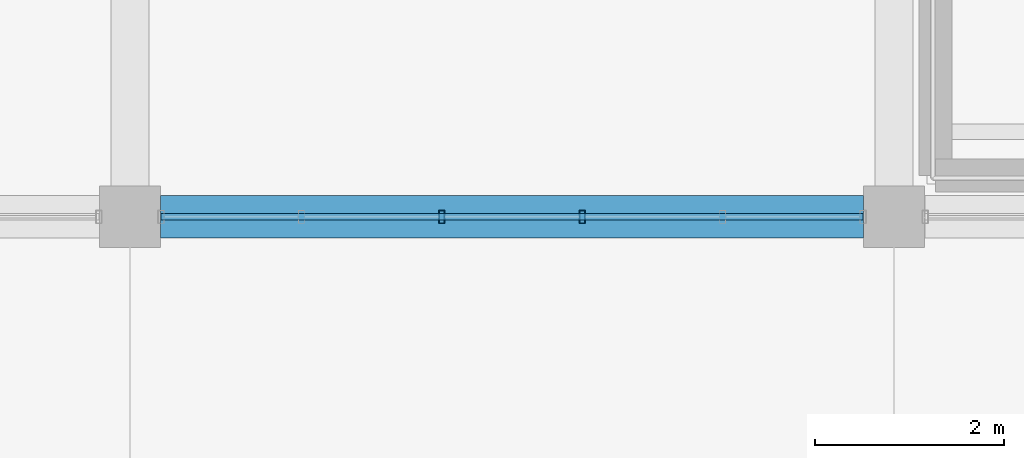
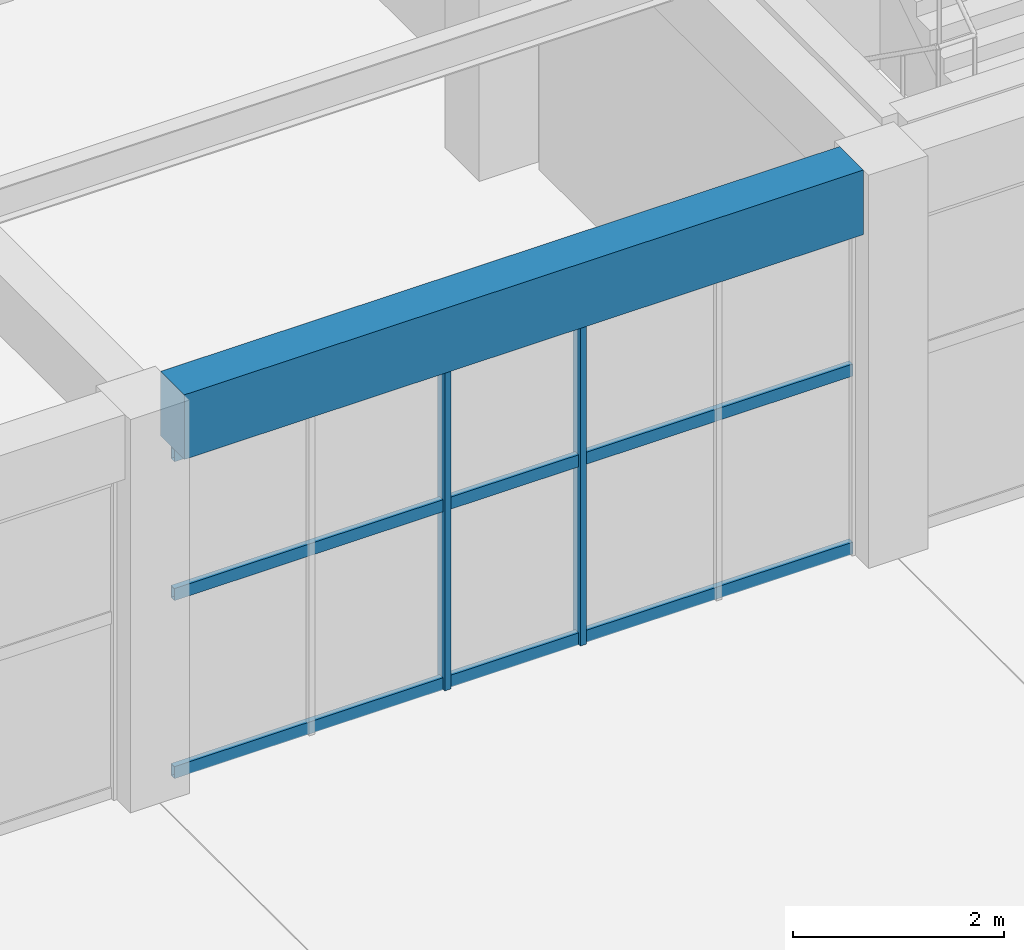
# One storey, part 41 of 161: 5 members, 1 beam, 1 element without a shape of its own.
"""IFC4 building model written with IfcOpenShell, lengths in metres."""

from ifc_helpers import new_model, si_unit, direction, frame, origin, origin_2d, place, context, subcontext, project, spatial, rectangle, hollow_rectangle, extrude, material, material_profile, profile_set, type_object, element, aggregate, save


model = new_model("IFC4")

# Units and contexts
model_context = context("Model", 3, precision=1e-05, world=origin(), true_north=direction((0.0, 1.0)))
body_context = subcontext(model_context, "Body", "Model", "MODEL_VIEW")
ifc_project = project(units=[si_unit("LENGTHUNIT", "METRE"), si_unit("AREAUNIT", "SQUARE_METRE"), si_unit("VOLUMEUNIT", "CUBIC_METRE"), si_unit("PLANEANGLEUNIT", "RADIAN"), si_unit("MASSUNIT", "GRAM", prefix="KILO")], contexts=[model_context])

# Site, building, storey
site_placement = place(None, origin())
site = spatial("IfcSite", under=ifc_project, at=site_placement, CompositionType="ELEMENT")
building_placement = place(site_placement, origin())
building = spatial("IfcBuilding", under=site, at=building_placement, Name="Cimatlan Art Gallery", CompositionType="ELEMENT")
storey_placement = place(building_placement, frame((0.0, 0.0, 5.39990234375)))
storey = spatial("IfcBuildingStorey", under=building, at=storey_placement, Name="L01", CompositionType="ELEMENT", Elevation=5.39990234375)

# Beam
ifc_material_1 = material(Name="Concrete C40/50", Category="concrete")
ifc_material_profile_1 = material_profile(ifc_material_1, rectangle(XDim=0.449951171875, YDim=0.75, at=origin_2d()), Name="RC450X750")
ifc_profile_set_1 = profile_set([ifc_material_profile_1], Name="Concrete C40/50")
beam_type = type_object("IfcBeamType", Name="BM-RC-450X750", PredefinedType="BEAM", material=ifc_profile_set_1)
beam_placement = place(storey_placement, frame((107.625, 23.89990234375, 4.18505859375), z_axis=(1.0, 0.0, 0.0), x_axis=(0.0, 1.0, 0.0)))
element("IfcBeam", 1, at=beam_placement, inside=storey, type_object=beam_type, Name="BM-X-L01-13-03", PredefinedType="BEAM", context=body_context, shape_type="SweptSolid", body=[
    extrude(rectangle(XDim=0.449951171875, YDim=0.75, at=origin_2d()), origin(), (0.0, 0.0, 1.0), 7.449951171875),
])

# Curtain wall, members
ifc_material_2 = material(Name="Anodised bronze unitised curtain wall")
curtain_wall_type = type_object("IfcCurtainWallType", Name="CW-V-07442X03795-B5", PredefinedType="NOTDEFINED", material=ifc_material_2)
curtain_wall_placement = place(storey_placement, origin())
curtain_wall = element("IfcCurtainWall", 2, at=curtain_wall_placement, inside=storey, type_object=curtain_wall_type, Name="CW-L01-13-03-S", PredefinedType="NOTDEFINED")
ifc_material_3 = material(Name="Anodised bronze aluminium 6063-T6", Category="aluminium")
ifc_material_profile_2 = material_profile(ifc_material_3, hollow_rectangle(XDim=0.06494140625, YDim=0.139892578125, WallThickness=0.00390625, at=origin_2d()), Name="ALU65X140X4")
ifc_profile_set_2 = profile_set([ifc_material_profile_2], Name="Anodised bronze aluminium 6063-T6")
member_type_1 = type_object("IfcMemberType", Name="CW-MUL-140", PredefinedType="MULLION", material=ifc_profile_set_2)
member_1_placement = place(storey_placement, frame((112.09423828125, 23.89990234375, 0.0), z_axis=(0.0, 0.0, 1.0), x_axis=(1.0, 0.0, 0.0)))
member_1 = element("IfcMember", 3, at=member_1_placement, type_object=member_type_1, Name="CW-L01-13-03-S-M3", PredefinedType="MULLION", context=body_context, shape_type="SweptSolid", body=[
    extrude(hollow_rectangle(XDim=0.06494140625, YDim=0.139892578125, WallThickness=0.00390625, at=origin_2d()), origin(), (0.0, 0.0, 1.0), 3.795166015625),
])
member_2_placement = place(storey_placement, frame((110.605712890625, 23.89990234375, 0.0), z_axis=(0.0, 0.0, 1.0), x_axis=(1.0, 0.0, 0.0)))
member_2 = element("IfcMember", 4, at=member_2_placement, type_object=member_type_1, Name="CW-L01-13-03-S-M4", PredefinedType="MULLION", context=body_context, shape_type="SweptSolid", body=[
    extrude(hollow_rectangle(XDim=0.06494140625, YDim=0.139892578125, WallThickness=0.00390625, at=origin_2d()), origin(), (0.0, 0.0, 1.0), 3.795166015625),
])
ifc_material_profile_3 = material_profile(ifc_material_3, hollow_rectangle(XDim=0.06494140625, YDim=0.139892578125, WallThickness=0.00390625, at=origin_2d()), Name="ALU65X140X4")
ifc_profile_set_3 = profile_set([ifc_material_profile_3], Name="Anodised bronze aluminium 6063-T6")
member_type_2 = type_object("IfcMemberType", Name="CW-TRN-140", PredefinedType="USERDEFINED", material=ifc_profile_set_3)
member_3_placement = place(storey_placement, frame((115.071044921875, 23.89990234375, 0.06005859375), z_axis=(-1.0, 0.0, 0.0), x_axis=(0.0, -1.0, 0.0)))
member_3 = element("IfcMember", 5, at=member_3_placement, type_object=member_type_2, Name="CW-L01-13-03-S-T1", ObjectType="TRANSOM", PredefinedType="USERDEFINED", context=body_context, shape_type="SweptSolid", body=[
    extrude(hollow_rectangle(XDim=0.06494140625, YDim=0.139892578125, WallThickness=0.00390625, at=origin_2d()), origin(), (0.0, 0.0, 1.0), 7.442138671875),
])
member_4_placement = place(storey_placement, frame((115.071044921875, 23.89990234375, 2.125244140625), z_axis=(-1.0, 0.0, 0.0), x_axis=(0.0, -1.0, 0.0)))
member_4 = element("IfcMember", 6, at=member_4_placement, type_object=member_type_2, Name="CW-L01-13-03-S-T2", ObjectType="TRANSOM", PredefinedType="USERDEFINED", context=body_context, shape_type="SweptSolid", body=[
    extrude(hollow_rectangle(XDim=0.06494140625, YDim=0.139892578125, WallThickness=0.00390625, at=origin_2d()), origin(), (0.0, 0.0, 1.0), 7.442138671875),
])
member_5_placement = place(storey_placement, frame((115.071044921875, 23.89990234375, 3.735107421875), z_axis=(-1.0, 0.0, 0.0), x_axis=(0.0, -1.0, 0.0)))
member_5 = element("IfcMember", 7, at=member_5_placement, type_object=member_type_2, Name="CW-L01-13-03-S-T3", ObjectType="TRANSOM", PredefinedType="USERDEFINED", context=body_context, shape_type="SweptSolid", body=[
    extrude(hollow_rectangle(XDim=0.06494140625, YDim=0.139892578125, WallThickness=0.00390625, at=origin_2d()), origin(), (0.0, 0.0, 1.0), 7.442138671875),
])
aggregate(curtain_wall, [member_1, member_2, member_3, member_4, member_5])

save(model, "model.ifc")
